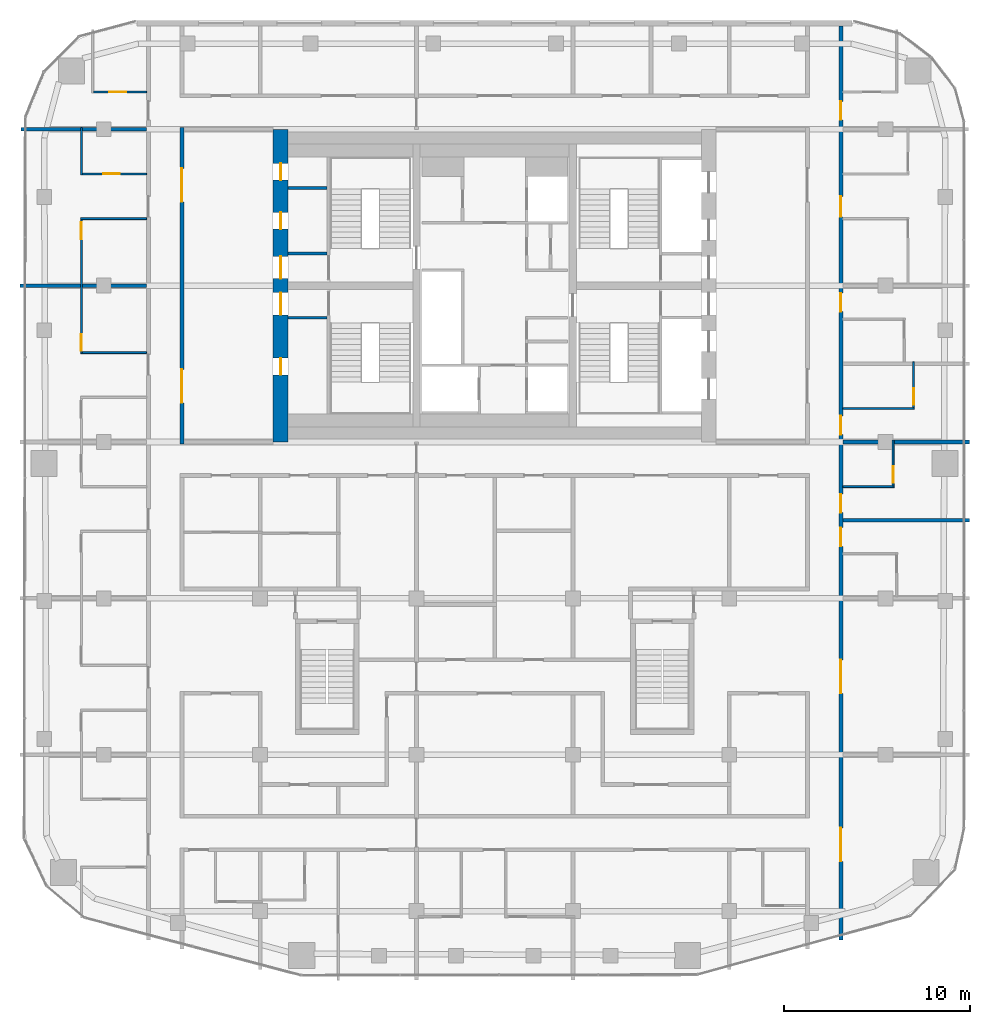
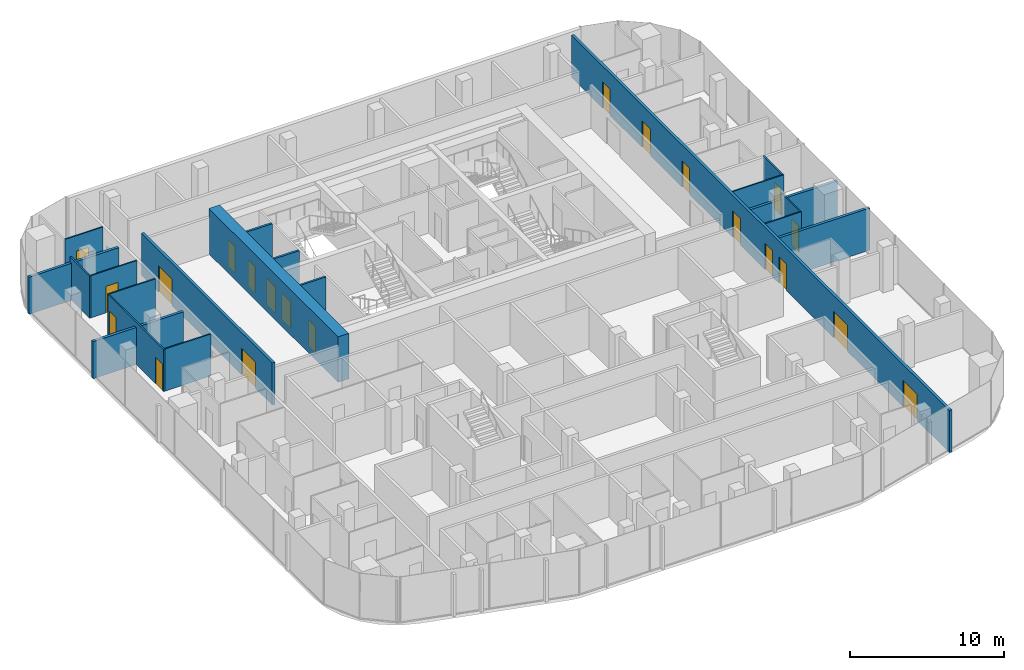
# One storey, part 17 of 21: 21 doors, 20 walls, 21 openings.
"""IFC4 building model written with IfcOpenShell, lengths in metres."""

from ifc_helpers import new_model, si_unit, direction, frame, frame_2d, origin, place, context, subcontext, project, spatial, rectangle, extrude, material, layer, layer_set, type_object, element, fill, save


model = new_model("IFC4")

# Units and contexts
model_context = context("Model", 3, precision=1e-05, world=origin(), true_north=direction((0.0, 1.0)))
body_context = subcontext(model_context, "Body", "Model", "MODEL_VIEW")
ifc_project = project(units=[si_unit("LENGTHUNIT", "METRE"), si_unit("AREAUNIT", "SQUARE_METRE"), si_unit("VOLUMEUNIT", "CUBIC_METRE"), si_unit("PLANEANGLEUNIT", "RADIAN"), si_unit("MASSUNIT", "GRAM", prefix="KILO")], contexts=[model_context])

# Site, building, storey
site_placement = place(None, origin())
site = spatial("IfcSite", under=ifc_project, at=site_placement, CompositionType="ELEMENT")
building_placement = place(site_placement, origin())
building = spatial("IfcBuilding", under=site, at=building_placement, Name="Marenta Gate Hotel Tower", CompositionType="ELEMENT")
storey_placement = place(building_placement, frame((0.0, 0.0, 245.300048828125)))
storey = spatial("IfcBuildingStorey", under=building, at=storey_placement, Name="L58", CompositionType="ELEMENT", Elevation=245.300048828125)

# Wall, openings, doors
ifc_material_1 = material(Name="Concrete blockwork", Category="masonry")
ifc_layer_1 = layer(ifc_material_1, 0.199951171875)
ifc_layer_set_1 = layer_set([ifc_layer_1], Name="Concrete blockwork")
wall_type_1 = type_object("IfcWallType", Name="Core boundary wall 200 REI 180", PredefinedType="PARTITIONING", material=ifc_layer_set_1)
wall_1_placement = place(storey_placement, frame((-16.800048828125, -0.10009765625, 0.0), z_axis=(0.0, 0.0, 1.0), x_axis=(0.0, 1.0, 0.0)))
wall_1 = element("IfcWall", 1, at=wall_1_placement, inside=storey, type_object=wall_type_1, Name="L58-CP-BW-W", PredefinedType="PARTITIONING", context=body_context, shape_type="SweptSolid", body=[
    extrude(rectangle(XDim=17.0, YDim=0.199951171875, at=frame_2d((8.5, 0.0))), origin(), (0.0, 0.0, 1.0), 3.33984375),
])
opening_1_placement = place(wall_1_placement, frame((2.199951171875, 0.0, 0.0)))
opening_1 = element("IfcOpeningElement", 2, at=opening_1_placement, cuts=wall_1, Name="Opening ED-Wa-B", PredefinedType="OPENING", context=body_context, shape_type="SweptSolid", body=[
    extrude(rectangle(XDim=1.800048828125, YDim=2.10009765625, at=frame_2d((0.89990234375, 1.050048828125))), frame((0.0, 0.10009765625, 0.0), z_axis=(0.0, -1.0, 0.0), x_axis=(1.0, 0.0, 0.0)), (0.0, 0.0, 1.0), 0.199951171875),
])
opening_2_placement = place(wall_1_placement, frame((13.0, 0.0, 0.0)))
opening_2 = element("IfcOpeningElement", 3, at=opening_2_placement, cuts=wall_1, Name="Opening ED-Wb-B", PredefinedType="OPENING", context=body_context, shape_type="SweptSolid", body=[
    extrude(rectangle(XDim=1.800048828125, YDim=2.10009765625, at=frame_2d((0.89990234375, 1.050048828125))), frame((0.0, 0.10009765625, 0.0), z_axis=(0.0, -1.0, 0.0), x_axis=(1.0, 0.0, 0.0)), (0.0, 0.0, 1.0), 0.199951171875),
])
ifc_material_2 = material(Name="Steel", Category="steel")
door_type_1 = type_object("IfcDoorType", Name="Core lobby entrance door 1800x2100 EI 60", OperationType="DOUBLE_DOOR_SINGLE_SWING", PredefinedType="DOOR", material=ifc_material_2)
door_1_placement = place(opening_1_placement, origin())
door_1 = element("IfcDoor", 4, at=door_1_placement, inside=storey, type_object=door_type_1, Name="ED-Wa-B", OperationType="DOUBLE_DOOR_SINGLE_SWING", OverallHeight=2.10009765625, OverallWidth=1.800048828125, PredefinedType="DOOR", context=body_context, shape_type="SweptSolid", body=[
    extrude(rectangle(XDim=1.800048828125, YDim=2.10009765625, at=frame_2d((0.89990234375, 1.050048828125))), frame((0.0, 0.02490234375, 0.0), z_axis=(0.0, -1.0, 0.0), x_axis=(1.0, 0.0, 0.0)), (0.0, 0.0, 1.0), 0.050048828125),
])
fill(opening_1, door_1)
door_2_placement = place(opening_2_placement, origin())
door_2 = element("IfcDoor", 5, at=door_2_placement, inside=storey, type_object=door_type_1, Name="ED-Wb-B", OperationType="DOUBLE_DOOR_SINGLE_SWING", OverallHeight=2.10009765625, OverallWidth=1.800048828125, PredefinedType="DOOR", context=body_context, shape_type="SweptSolid", body=[
    extrude(rectangle(XDim=1.800048828125, YDim=2.10009765625, at=frame_2d((0.89990234375, 1.050048828125))), frame((0.0, 0.02490234375, 0.0), z_axis=(0.0, -1.0, 0.0), x_axis=(1.0, 0.0, 0.0)), (0.0, 0.0, 1.0), 0.050048828125),
])
fill(opening_2, door_2)

# Walls
ifc_material_3 = material(Name="Concrete blockwork", Category="masonry")
ifc_layer_2 = layer(ifc_material_3, 0.14990234375)
ifc_layer_set_2 = layer_set([ifc_layer_2], Name="Concrete blockwork")
wall_type_2 = type_object("IfcWallType", Name="Core room partition 150 REI 180", PredefinedType="PARTITIONING", material=ifc_layer_set_2)
for number, where, z_axis, x_axis, name in (
    (6, (-11.10009765625, 6.675048828125, 0.0), (0.0, 0.0, 1.0), (1.0, 0.0, 0.0), "L58-CP-SW-WS-2"),
    (7, (-11.10009765625, 10.125, 0.0), (0.0, 0.0, 1.0), (1.0, 0.0, 0.0), "L58-CP-SW-WN-2"),
    (8, (-11.10009765625, 13.64990234375, 0.0), (0.0, 0.0, 1.0), (1.0, 0.0, 0.0), "L58-CP-RW-WN-1"),
):
    element("IfcWall", number, at=place(storey_placement, frame(where, z_axis=z_axis, x_axis=x_axis)), inside=storey, type_object=wall_type_2, Name=name, PredefinedType="PARTITIONING", context=body_context, shape_type="SweptSolid", body=[
        extrude(rectangle(XDim=2.10009765625, YDim=0.14990234375, at=frame_2d((1.050048828125, 0.0))), origin(), (0.0, 0.0, 1.0), 3.33984375),
    ])

# Wall, openings, doors
ifc_material_4 = material(Name="Concrete C60", Category="concrete")
ifc_layer_3 = layer(ifc_material_4, 0.800048828125)
ifc_layer_set_3 = layer_set([ifc_layer_3], Name="Concrete C60")
wall_type_3 = type_object("IfcWallType", Name="Core wall 800 C60", PredefinedType="SHEAR", material=ifc_layer_set_3)
wall_2_placement = place(storey_placement, frame((-11.5, 0.0, 0.0), z_axis=(0.0, 0.0, 1.0), x_axis=(0.0, 1.0, 0.0)))
wall_2 = element("IfcWall", 9, at=wall_2_placement, inside=storey, type_object=wall_type_3, Name="L58-CORE-W", PredefinedType="SHEAR", context=body_context, shape_type="SweptSolid", body=[
    extrude(rectangle(XDim=16.800048828125, YDim=0.800048828125, at=frame_2d((8.39990234375, 0.0))), origin(), (0.0, 0.0, 1.0), 3.599853515625),
])
opening_3_placement = place(wall_2_placement, frame((3.60009765625, 0.0, 0.0)))
opening_3 = element("IfcOpeningElement", 10, at=opening_3_placement, cuts=wall_2, Name="Opening RD-WS-1", PredefinedType="OPENING", context=body_context, shape_type="SweptSolid", body=[
    extrude(rectangle(XDim=0.89990234375, YDim=2.10009765625, at=frame_2d((0.449951171875, 1.050048828125))), frame((0.0, 0.39990234375, 0.0), z_axis=(0.0, -1.0, 0.0), x_axis=(1.0, 0.0, 0.0)), (0.0, 0.0, 1.0), 0.800048828125),
])
opening_4_placement = place(wall_2_placement, frame((6.824951171875, 0.0, 0.0)))
opening_4 = element("IfcOpeningElement", 11, at=opening_4_placement, cuts=wall_2, Name="Opening PD-WS", PredefinedType="OPENING", context=body_context, shape_type="SweptSolid", body=[
    extrude(rectangle(XDim=1.199951171875, YDim=2.10009765625, at=frame_2d((0.60009765625, 1.050048828125))), frame((0.0, 0.39990234375, 0.0), z_axis=(0.0, -1.0, 0.0), x_axis=(1.0, 0.0, 0.0)), (0.0, 0.0, 1.0), 0.800048828125),
])
opening_5_placement = place(wall_2_placement, frame((14.0625, 0.0, 0.0)))
opening_5 = element("IfcOpeningElement", 12, at=opening_5_placement, cuts=wall_2, Name="Opening RD-WN-1", PredefinedType="OPENING", context=body_context, shape_type="SweptSolid", body=[
    extrude(rectangle(XDim=0.89990234375, YDim=2.10009765625, at=frame_2d((0.449951171875, 1.050048828125))), frame((0.0, 0.39990234375, 0.0), z_axis=(0.0, -1.0, 0.0), x_axis=(1.0, 0.0, 0.0)), (0.0, 0.0, 1.0), 0.800048828125),
])
opening_6_placement = place(wall_2_placement, frame((11.4375, 0.0, 0.0)))
opening_6 = element("IfcOpeningElement", 13, at=opening_6_placement, cuts=wall_2, Name="Opening RD-WN-2", PredefinedType="OPENING", context=body_context, shape_type="SweptSolid", body=[
    extrude(rectangle(XDim=0.89990234375, YDim=2.10009765625, at=frame_2d((0.449951171875, 1.050048828125))), frame((0.0, 0.39990234375, 0.0), z_axis=(0.0, -1.0, 0.0), x_axis=(1.0, 0.0, 0.0)), (0.0, 0.0, 1.0), 0.800048828125),
])
opening_7_placement = place(wall_2_placement, frame((8.77490234375, 0.0, 0.0)))
opening_7 = element("IfcOpeningElement", 14, at=opening_7_placement, cuts=wall_2, Name="Opening PD-WN", PredefinedType="OPENING", context=body_context, shape_type="SweptSolid", body=[
    extrude(rectangle(XDim=1.199951171875, YDim=2.10009765625, at=frame_2d((0.60009765625, 1.050048828125))), frame((0.0, 0.39990234375, 0.0), z_axis=(0.0, -1.0, 0.0), x_axis=(1.0, 0.0, 0.0)), (0.0, 0.0, 1.0), 0.800048828125),
])
ifc_material_5 = material(Name="Steel", Category="steel")
door_type_2 = type_object("IfcDoorType", Name="Core lobby door 1200x2100 FD60", OperationType="SINGLE_SWING_LEFT", PredefinedType="DOOR", material=ifc_material_5)
door_3_placement = place(opening_4_placement, origin())
door_3 = element("IfcDoor", 15, at=door_3_placement, inside=storey, type_object=door_type_2, Name="PD-WS", OperationType="SINGLE_SWING_LEFT", OverallHeight=2.10009765625, OverallWidth=1.199951171875, PredefinedType="DOOR", context=body_context, shape_type="SweptSolid", body=[
    extrude(rectangle(XDim=1.199951171875, YDim=2.10009765625, at=frame_2d((0.60009765625, 1.050048828125))), frame((0.0, 0.02490234375, 0.0), z_axis=(0.0, -1.0, 0.0), x_axis=(1.0, 0.0, 0.0)), (0.0, 0.0, 1.0), 0.050048828125),
])
fill(opening_4, door_3)
door_4_placement = place(opening_7_placement, origin())
door_4 = element("IfcDoor", 16, at=door_4_placement, inside=storey, type_object=door_type_2, Name="PD-WN", OperationType="SINGLE_SWING_LEFT", OverallHeight=2.10009765625, OverallWidth=1.199951171875, PredefinedType="DOOR", context=body_context, shape_type="SweptSolid", body=[
    extrude(rectangle(XDim=1.199951171875, YDim=2.10009765625, at=frame_2d((0.60009765625, 1.050048828125))), frame((0.0, 0.02490234375, 0.0), z_axis=(0.0, -1.0, 0.0), x_axis=(1.0, 0.0, 0.0)), (0.0, 0.0, 1.0), 0.050048828125),
])
fill(opening_7, door_4)
ifc_material_6 = material(Name="Steel", Category="steel")
door_type_3 = type_object("IfcDoorType", Name="Core service room door 900x2100 FD30S", OperationType="SINGLE_SWING_LEFT", PredefinedType="DOOR", material=ifc_material_6)
door_5_placement = place(opening_3_placement, origin())
door_5 = element("IfcDoor", 17, at=door_5_placement, inside=storey, type_object=door_type_3, Name="RD-WS-1", OperationType="SINGLE_SWING_LEFT", OverallHeight=2.10009765625, OverallWidth=0.89990234375, PredefinedType="DOOR", context=body_context, shape_type="SweptSolid", body=[
    extrude(rectangle(XDim=0.89990234375, YDim=2.10009765625, at=frame_2d((0.449951171875, 1.050048828125))), frame((0.0, 0.02490234375, 0.0), z_axis=(0.0, -1.0, 0.0), x_axis=(1.0, 0.0, 0.0)), (0.0, 0.0, 1.0), 0.050048828125),
])
fill(opening_3, door_5)
door_6_placement = place(opening_5_placement, origin())
door_6 = element("IfcDoor", 18, at=door_6_placement, inside=storey, type_object=door_type_3, Name="RD-WN-1", OperationType="SINGLE_SWING_LEFT", OverallHeight=2.10009765625, OverallWidth=0.89990234375, PredefinedType="DOOR", context=body_context, shape_type="SweptSolid", body=[
    extrude(rectangle(XDim=0.89990234375, YDim=2.10009765625, at=frame_2d((0.449951171875, 1.050048828125))), frame((0.0, 0.02490234375, 0.0), z_axis=(0.0, -1.0, 0.0), x_axis=(1.0, 0.0, 0.0)), (0.0, 0.0, 1.0), 0.050048828125),
])
fill(opening_5, door_6)
door_7_placement = place(opening_6_placement, origin())
door_7 = element("IfcDoor", 19, at=door_7_placement, inside=storey, type_object=door_type_3, Name="RD-WN-2", OperationType="SINGLE_SWING_LEFT", OverallHeight=2.10009765625, OverallWidth=0.89990234375, PredefinedType="DOOR", context=body_context, shape_type="SweptSolid", body=[
    extrude(rectangle(XDim=0.89990234375, YDim=2.10009765625, at=frame_2d((0.449951171875, 1.050048828125))), frame((0.0, 0.02490234375, 0.0), z_axis=(0.0, -1.0, 0.0), x_axis=(1.0, 0.0, 0.0)), (0.0, 0.0, 1.0), 0.050048828125),
])
fill(opening_6, door_7)

ifc_material_7 = material(Name="Gypsum board on steel stud", Category="steel")
ifc_layer_4 = layer(ifc_material_7, 0.199951171875)
ifc_layer_set_4 = layer_set([ifc_layer_4], Name="Gypsum board on steel stud")
wall_type_4 = type_object("IfcWallType", Name="Room corridor wall 200 EI 60", PredefinedType="PARTITIONING", material=ifc_layer_set_4)
wall_3_placement = place(storey_placement, frame((18.60009765625, -26.7509765625, 0.0), z_axis=(0.0, 0.0, 1.0), x_axis=(0.0, 1.0, 0.0)))
wall_3 = element("IfcWall", 20, at=wall_3_placement, inside=storey, type_object=wall_type_4, Name="L58-PTN-W017", PredefinedType="PARTITIONING", context=body_context, shape_type="SweptSolid", body=[
    extrude(rectangle(XDim=49.091064453125, YDim=0.199951171875, at=frame_2d((24.54541015625, 0.0))), origin(), (0.0, 0.0, 1.0), 3.33984375),
])
opening_8_placement = place(wall_3_placement, frame((4.22607421875, 0.0, 0.0)))
opening_8 = element("IfcOpeningElement", 21, at=opening_8_placement, cuts=wall_3, Name="Opening G21-14", PredefinedType="OPENING", context=body_context, shape_type="SweptSolid", body=[
    extrude(rectangle(XDim=1.800048828125, YDim=2.10009765625, at=frame_2d((0.89990234375, 1.050048828125))), frame((0.0, 0.10009765625, 0.0), z_axis=(0.0, -1.0, 0.0), x_axis=(1.0, 0.0, 0.0)), (0.0, 0.0, 1.0), 0.199951171875),
])
opening_9_placement = place(wall_3_placement, frame((13.2509765625, 0.0, 0.0)))
opening_9 = element("IfcOpeningElement", 22, at=opening_9_placement, cuts=wall_3, Name="Opening G21-15", PredefinedType="OPENING", context=body_context, shape_type="SweptSolid", body=[
    extrude(rectangle(XDim=1.800048828125, YDim=2.10009765625, at=frame_2d((0.89990234375, 1.050048828125))), frame((0.0, 0.10009765625, 0.0), z_axis=(0.0, -1.0, 0.0), x_axis=(1.0, 0.0, 0.0)), (0.0, 0.0, 1.0), 0.199951171875),
])
opening_10_placement = place(wall_3_placement, frame((21.15087890625, 0.0, 0.0)))
opening_10 = element("IfcOpeningElement", 23, at=opening_10_placement, cuts=wall_3, Name="Opening G21-16", PredefinedType="OPENING", context=body_context, shape_type="SweptSolid", body=[
    extrude(rectangle(XDim=1.0, YDim=2.10009765625, at=frame_2d((0.5, 1.050048828125))), frame((0.0, 0.10009765625, 0.0), z_axis=(0.0, -1.0, 0.0), x_axis=(1.0, 0.0, 0.0)), (0.0, 0.0, 1.0), 0.199951171875),
])
opening_11_placement = place(wall_3_placement, frame((22.950927734375, 0.0, 0.0)))
opening_11 = element("IfcOpeningElement", 24, at=opening_11_placement, cuts=wall_3, Name="Opening G21-18", PredefinedType="OPENING", context=body_context, shape_type="SweptSolid", body=[
    extrude(rectangle(XDim=1.0, YDim=2.10009765625, at=frame_2d((0.5, 1.050048828125))), frame((0.0, 0.10009765625, 0.0), z_axis=(0.0, -1.0, 0.0), x_axis=(1.0, 0.0, 0.0)), (0.0, 0.0, 1.0), 0.199951171875),
])
opening_12_placement = place(wall_3_placement, frame((27.15087890625, 0.0, 0.0)))
opening_12 = element("IfcOpeningElement", 25, at=opening_12_placement, cuts=wall_3, Name="Opening G21-20", PredefinedType="OPENING", context=body_context, shape_type="SweptSolid", body=[
    extrude(rectangle(XDim=1.0, YDim=2.10009765625, at=frame_2d((0.5, 1.050048828125))), frame((0.0, 0.10009765625, 0.0), z_axis=(0.0, -1.0, 0.0), x_axis=(1.0, 0.0, 0.0)), (0.0, 0.0, 1.0), 0.199951171875),
])
opening_13_placement = place(wall_3_placement, frame((33.7509765625, 0.0, 0.0)))
opening_13 = element("IfcOpeningElement", 26, at=opening_13_placement, cuts=wall_3, Name="Opening G21-22", PredefinedType="OPENING", context=body_context, shape_type="SweptSolid", body=[
    extrude(rectangle(XDim=1.0, YDim=2.10009765625, at=frame_2d((0.5, 1.050048828125))), frame((0.0, 0.10009765625, 0.0), z_axis=(0.0, -1.0, 0.0), x_axis=(1.0, 0.0, 0.0)), (0.0, 0.0, 1.0), 0.199951171875),
])
opening_14_placement = place(wall_3_placement, frame((38.85107421875, 0.0, 0.0)))
opening_14 = element("IfcOpeningElement", 27, at=opening_14_placement, cuts=wall_3, Name="Opening G21-24", PredefinedType="OPENING", context=body_context, shape_type="SweptSolid", body=[
    extrude(rectangle(XDim=1.10009765625, YDim=2.10009765625, at=frame_2d((0.550048828125, 1.050048828125))), frame((0.0, 0.10009765625, 0.0), z_axis=(0.0, -1.0, 0.0), x_axis=(1.0, 0.0, 0.0)), (0.0, 0.0, 1.0), 0.199951171875),
])
opening_15_placement = place(wall_3_placement, frame((44.051025390625, 0.0, 0.0)))
opening_15 = element("IfcOpeningElement", 28, at=opening_15_placement, cuts=wall_3, Name="Opening G21-27", PredefinedType="OPENING", context=body_context, shape_type="SweptSolid", body=[
    extrude(rectangle(XDim=1.0, YDim=2.10009765625, at=frame_2d((0.5, 1.050048828125))), frame((0.0, 0.10009765625, 0.0), z_axis=(0.0, -1.0, 0.0), x_axis=(1.0, 0.0, 0.0)), (0.0, 0.0, 1.0), 0.199951171875),
])
ifc_material_8 = material(Name="Timber door leaf", Category="wood")
door_type_4 = type_object("IfcDoorType", Name="Guest room door 1000x2100 EI 30", OperationType="NOTDEFINED", PredefinedType="DOOR", material=ifc_material_8)
door_8_placement = place(opening_10_placement, origin())
door_8 = element("IfcDoor", 29, at=door_8_placement, inside=storey, type_object=door_type_4, Name="L58-PD-D016", OperationType="SINGLE_SWING_RIGHT", OverallHeight=2.10009765625, OverallWidth=1.0, PredefinedType="DOOR", context=body_context, shape_type="SweptSolid", body=[
    extrude(rectangle(XDim=1.0, YDim=2.10009765625, at=frame_2d((0.5, 1.050048828125))), frame((0.0, 0.02490234375, 0.0), z_axis=(0.0, -1.0, 0.0), x_axis=(1.0, 0.0, 0.0)), (0.0, 0.0, 1.0), 0.050048828125),
])
fill(opening_10, door_8)
door_9_placement = place(opening_11_placement, origin())
door_9 = element("IfcDoor", 30, at=door_9_placement, inside=storey, type_object=door_type_4, Name="L58-PD-D018", OperationType="SINGLE_SWING_RIGHT", OverallHeight=2.10009765625, OverallWidth=1.0, PredefinedType="DOOR", context=body_context, shape_type="SweptSolid", body=[
    extrude(rectangle(XDim=1.0, YDim=2.10009765625, at=frame_2d((0.5, 1.050048828125))), frame((0.0, 0.02490234375, 0.0), z_axis=(0.0, -1.0, 0.0), x_axis=(1.0, 0.0, 0.0)), (0.0, 0.0, 1.0), 0.050048828125),
])
fill(opening_11, door_9)
door_10_placement = place(opening_12_placement, origin())
door_10 = element("IfcDoor", 31, at=door_10_placement, inside=storey, type_object=door_type_4, Name="L58-PD-D020", OperationType="SINGLE_SWING_RIGHT", OverallHeight=2.10009765625, OverallWidth=1.0, PredefinedType="DOOR", context=body_context, shape_type="SweptSolid", body=[
    extrude(rectangle(XDim=1.0, YDim=2.10009765625, at=frame_2d((0.5, 1.050048828125))), frame((0.0, 0.02490234375, 0.0), z_axis=(0.0, -1.0, 0.0), x_axis=(1.0, 0.0, 0.0)), (0.0, 0.0, 1.0), 0.050048828125),
])
fill(opening_12, door_10)
door_11_placement = place(opening_13_placement, origin())
door_11 = element("IfcDoor", 32, at=door_11_placement, inside=storey, type_object=door_type_4, Name="L58-PD-D022", OperationType="SINGLE_SWING_RIGHT", OverallHeight=2.10009765625, OverallWidth=1.0, PredefinedType="DOOR", context=body_context, shape_type="SweptSolid", body=[
    extrude(rectangle(XDim=1.0, YDim=2.10009765625, at=frame_2d((0.5, 1.050048828125))), frame((0.0, 0.02490234375, 0.0), z_axis=(0.0, -1.0, 0.0), x_axis=(1.0, 0.0, 0.0)), (0.0, 0.0, 1.0), 0.050048828125),
])
fill(opening_13, door_11)
door_12_placement = place(opening_15_placement, origin())
door_12 = element("IfcDoor", 33, at=door_12_placement, inside=storey, type_object=door_type_4, Name="L58-PD-D027", OperationType="SINGLE_SWING_LEFT", OverallHeight=2.10009765625, OverallWidth=1.0, PredefinedType="DOOR", context=body_context, shape_type="SweptSolid", body=[
    extrude(rectangle(XDim=1.0, YDim=2.10009765625, at=frame_2d((0.5, 1.050048828125))), frame((0.0, 0.02490234375, 0.0), z_axis=(0.0, -1.0, 0.0), x_axis=(1.0, 0.0, 0.0)), (0.0, 0.0, 1.0), 0.050048828125),
])
fill(opening_15, door_12)
ifc_material_9 = material(Name="Timber door leaf", Category="wood")
door_type_5 = type_object("IfcDoorType", Name="Guest room door 1100x2100 EI 30", OperationType="NOTDEFINED", PredefinedType="DOOR", material=ifc_material_9)
door_13_placement = place(opening_14_placement, origin())
door_13 = element("IfcDoor", 34, at=door_13_placement, inside=storey, type_object=door_type_5, Name="L58-PD-D024", OperationType="SINGLE_SWING_RIGHT", OverallHeight=2.10009765625, OverallWidth=1.10009765625, PredefinedType="DOOR", context=body_context, shape_type="SweptSolid", body=[
    extrude(rectangle(XDim=1.10009765625, YDim=2.10009765625, at=frame_2d((0.550048828125, 1.050048828125))), frame((0.0, 0.02490234375, 0.0), z_axis=(0.0, -1.0, 0.0), x_axis=(1.0, 0.0, 0.0)), (0.0, 0.0, 1.0), 0.050048828125),
])
fill(opening_14, door_13)
ifc_material_10 = material(Name="Timber door leaf", Category="wood")
door_type_6 = type_object("IfcDoorType", Name="Room amenity door 1800x2100 EI 30", OperationType="DOUBLE_DOOR_SINGLE_SWING", PredefinedType="DOOR", material=ifc_material_10)
door_14_placement = place(opening_8_placement, origin())
door_14 = element("IfcDoor", 35, at=door_14_placement, inside=storey, type_object=door_type_6, Name="L58-PD-D014", OperationType="DOUBLE_DOOR_SINGLE_SWING", OverallHeight=2.10009765625, OverallWidth=1.800048828125, PredefinedType="DOOR", context=body_context, shape_type="SweptSolid", body=[
    extrude(rectangle(XDim=1.800048828125, YDim=2.10009765625, at=frame_2d((0.89990234375, 1.050048828125))), frame((0.0, 0.02490234375, 0.0), z_axis=(0.0, -1.0, 0.0), x_axis=(1.0, 0.0, 0.0)), (0.0, 0.0, 1.0), 0.050048828125),
])
fill(opening_8, door_14)
door_15_placement = place(opening_9_placement, origin())
door_15 = element("IfcDoor", 36, at=door_15_placement, inside=storey, type_object=door_type_6, Name="L58-PD-D015", OperationType="DOUBLE_DOOR_SINGLE_SWING", OverallHeight=2.10009765625, OverallWidth=1.800048828125, PredefinedType="DOOR", context=body_context, shape_type="SweptSolid", body=[
    extrude(rectangle(XDim=1.800048828125, YDim=2.10009765625, at=frame_2d((0.89990234375, 1.050048828125))), frame((0.0, 0.02490234375, 0.0), z_axis=(0.0, -1.0, 0.0), x_axis=(1.0, 0.0, 0.0)), (0.0, 0.0, 1.0), 0.050048828125),
])
fill(opening_9, door_15)

# Wall, opening, door
ifc_material_11 = material(Name="Gypsum board on steel stud", Category="steel")
ifc_layer_5 = layer(ifc_material_11, 0.10009765625)
ifc_layer_set_5 = layer_set([ifc_layer_5], Name="Gypsum board on steel stud")
wall_type_5 = type_object("IfcWallType", Name="Room partition 100", PredefinedType="PARTITIONING", material=ifc_layer_set_5)
wall_4_placement = place(storey_placement, frame((22.5, 1.85009765625, 0.0), z_axis=(0.0, 0.0, 1.0), x_axis=(0.0, 1.0, 0.0)))
wall_4 = element("IfcWall", 37, at=wall_4_placement, inside=storey, type_object=wall_type_5, Name="L58-PTN-W007", PredefinedType="PARTITIONING", context=body_context, shape_type="SweptSolid", body=[
    extrude(rectangle(XDim=2.449951171875, YDim=0.10009765625, at=frame_2d((1.22509765625, 0.0))), origin(), (0.0, 0.0, 1.0), 3.33984375),
])
opening_16_placement = place(wall_4_placement, frame((0.14990234375, 0.0, 0.0)))
opening_16 = element("IfcOpeningElement", 38, at=opening_16_placement, cuts=wall_4, Name="Opening G21-21", PredefinedType="OPENING", context=body_context, shape_type="SweptSolid", body=[
    extrude(rectangle(XDim=0.89990234375, YDim=2.10009765625, at=frame_2d((0.449951171875, 1.050048828125))), frame((0.0, 0.050048828125, 0.0), z_axis=(0.0, -1.0, 0.0), x_axis=(1.0, 0.0, 0.0)), (0.0, 0.0, 1.0), 0.10009765625),
])
ifc_material_12 = material(Name="Timber door leaf", Category="wood")
door_type_7 = type_object("IfcDoorType", Name="Guest bathroom door 900x2100", OperationType="NOTDEFINED", PredefinedType="DOOR", material=ifc_material_12)
door_16_placement = place(opening_16_placement, origin())
door_16 = element("IfcDoor", 39, at=door_16_placement, inside=storey, type_object=door_type_7, Name="L58-PD-D021", OperationType="SINGLE_SWING_LEFT", OverallHeight=2.10009765625, OverallWidth=0.89990234375, PredefinedType="DOOR", context=body_context, shape_type="SweptSolid", body=[
    extrude(rectangle(XDim=0.89990234375, YDim=2.10009765625, at=frame_2d((0.449951171875, 1.050048828125))), frame((0.0, 0.02490234375, 0.0), z_axis=(0.0, -1.0, 0.0), x_axis=(1.0, 0.0, 0.0)), (0.0, 0.0, 1.0), 0.050048828125),
])
fill(opening_16, door_16)

wall_5_placement = place(storey_placement, frame((21.39990234375, -2.35009765625, 0.0), z_axis=(0.0, 0.0, 1.0), x_axis=(0.0, 1.0, 0.0)))
wall_5 = element("IfcWall", 40, at=wall_5_placement, inside=storey, type_object=wall_type_5, Name="L58-PTN-W014", PredefinedType="PARTITIONING", context=body_context, shape_type="SweptSolid", body=[
    extrude(rectangle(XDim=2.4501953125, YDim=0.10009765625, at=frame_2d((1.22509765625, 0.0))), origin(), (0.0, 0.0, 1.0), 3.33984375),
])
opening_17_placement = place(wall_5_placement, frame((0.14990234375, 0.0, 0.0)))
opening_17 = element("IfcOpeningElement", 41, at=opening_17_placement, cuts=wall_5, Name="Opening G21-19", PredefinedType="OPENING", context=body_context, shape_type="SweptSolid", body=[
    extrude(rectangle(XDim=0.89990234375, YDim=2.10009765625, at=frame_2d((0.449951171875, 1.050048828125))), frame((0.0, 0.050048828125, 0.0), z_axis=(0.0, -1.0, 0.0), x_axis=(1.0, 0.0, 0.0)), (0.0, 0.0, 1.0), 0.10009765625),
])
door_17_placement = place(opening_17_placement, origin())
door_17 = element("IfcDoor", 42, at=door_17_placement, inside=storey, type_object=door_type_7, Name="L58-PD-D019", OperationType="SINGLE_SWING_LEFT", OverallHeight=2.10009765625, OverallWidth=0.89990234375, PredefinedType="DOOR", context=body_context, shape_type="SweptSolid", body=[
    extrude(rectangle(XDim=0.89990234375, YDim=2.10009765625, at=frame_2d((0.449951171875, 1.050048828125))), frame((0.0, 0.02490234375, 0.0), z_axis=(0.0, -1.0, 0.0), x_axis=(1.0, 0.0, 0.0)), (0.0, 0.0, 1.0), 0.050048828125),
])
fill(opening_17, door_17)

# Walls
wall_6_placement = place(storey_placement, frame((18.699951171875, -2.39990234375, 0.0), z_axis=(0.0, 0.0, 1.0), x_axis=(1.0, 0.0, 0.0)))
element("IfcWall", 43, at=wall_6_placement, inside=storey, type_object=wall_type_5, Name="L58-PTN-W060", PredefinedType="PARTITIONING", context=body_context, shape_type="SweptSolid", body=[
    extrude(rectangle(XDim=2.75, YDim=0.10009765625, at=frame_2d((1.375, 0.0))), origin(), (0.0, 0.0, 1.0), 3.33984375),
])
wall_7_placement = place(storey_placement, frame((18.699951171875, 1.800048828125, 0.0), z_axis=(0.0, 0.0, 1.0), x_axis=(1.0, 0.0, 0.0)))
element("IfcWall", 44, at=wall_7_placement, inside=storey, type_object=wall_type_5, Name="L58-PTN-W067", PredefinedType="PARTITIONING", context=body_context, shape_type="SweptSolid", body=[
    extrude(rectangle(XDim=3.85009765625, YDim=0.10009765625, at=frame_2d((1.925048828125, 0.0))), origin(), (0.0, 0.0, 1.0), 3.33984375),
])
wall_8_placement = place(storey_placement, frame((-22.14990234375, 4.800048828125, 0.0), z_axis=(0.0, 0.0, 1.0), x_axis=(1.0, 0.0, 0.0)))
element("IfcWall", 45, at=wall_8_placement, inside=storey, type_object=wall_type_5, Name="L58-PTN-W074", PredefinedType="PARTITIONING", context=body_context, shape_type="SweptSolid", body=[
    extrude(rectangle(XDim=3.449951171875, YDim=0.10009765625, at=frame_2d((1.72509765625, 0.0))), origin(), (0.0, 0.0, 1.0), 3.33984375),
])
wall_9_placement = place(storey_placement, frame((-22.25, 12.0, 0.0), z_axis=(0.0, 0.0, 1.0), x_axis=(1.0, 0.0, 0.0)))
element("IfcWall", 46, at=wall_9_placement, inside=storey, type_object=wall_type_5, Name="L58-PTN-W085", PredefinedType="PARTITIONING", context=body_context, shape_type="SweptSolid", body=[
    extrude(rectangle(XDim=3.550048828125, YDim=0.10009765625, at=frame_2d((1.77490234375, 0.0))), origin(), (0.0, 0.0, 1.0), 3.33984375),
])

# Wall, opening, door
wall_10_placement = place(storey_placement, frame((-22.14990234375, 14.39990234375, 0.0), z_axis=(0.0, 0.0, 1.0), x_axis=(1.0, 0.0, 0.0)))
wall_10 = element("IfcWall", 47, at=wall_10_placement, inside=storey, type_object=wall_type_5, Name="L58-PTN-W092", PredefinedType="PARTITIONING", context=body_context, shape_type="SweptSolid", body=[
    extrude(rectangle(XDim=3.449951171875, YDim=0.10009765625, at=frame_2d((1.72509765625, 0.0))), origin(), (0.0, 0.0, 1.0), 3.33984375),
])
opening_18_placement = place(wall_10_placement, frame((1.1201171875, 0.0, 0.0)))
opening_18 = element("IfcOpeningElement", 48, at=opening_18_placement, cuts=wall_10, Name="Opening G21-58", PredefinedType="OPENING", context=body_context, shape_type="SweptSolid", body=[
    extrude(rectangle(XDim=0.89990234375, YDim=2.10009765625, at=frame_2d((0.449951171875, 1.050048828125))), frame((0.0, 0.050048828125, 0.0), z_axis=(0.0, -1.0, 0.0), x_axis=(1.0, 0.0, 0.0)), (0.0, 0.0, 1.0), 0.10009765625),
])
ifc_material_13 = material(Name="Timber door leaf", Category="wood")
door_type_8 = type_object("IfcDoorType", Name="Room inner door 900x2100", OperationType="NOTDEFINED", PredefinedType="DOOR", material=ifc_material_13)
door_18_placement = place(opening_18_placement, origin())
door_18 = element("IfcDoor", 49, at=door_18_placement, inside=storey, type_object=door_type_8, Name="L58-PD-D058", OperationType="SINGLE_SWING_LEFT", OverallHeight=2.10009765625, OverallWidth=0.89990234375, PredefinedType="DOOR", context=body_context, shape_type="SweptSolid", body=[
    extrude(rectangle(XDim=0.89990234375, YDim=2.10009765625, at=frame_2d((0.449951171875, 1.050048828125))), frame((0.0, 0.02490234375, 0.0), z_axis=(0.0, -1.0, 0.0), x_axis=(1.0, 0.0, 0.0)), (0.0, 0.0, 1.0), 0.050048828125),
])
fill(opening_18, door_18)

wall_11_placement = place(storey_placement, frame((-21.550048828125, 18.800048828125, 0.0), z_axis=(0.0, 0.0, 1.0), x_axis=(1.0, 0.0, 0.0)))
wall_11 = element("IfcWall", 50, at=wall_11_placement, inside=storey, type_object=wall_type_5, Name="L58-PTN-W103", PredefinedType="PARTITIONING", context=body_context, shape_type="SweptSolid", body=[
    extrude(rectangle(XDim=2.85009765625, YDim=0.10009765625, at=frame_2d((1.425048828125, 0.0))), origin(), (0.0, 0.0, 1.0), 3.33984375),
])
opening_19_placement = place(wall_11_placement, frame((0.85009765625, 0.0, 0.0)))
opening_19 = element("IfcOpeningElement", 51, at=opening_19_placement, cuts=wall_11, Name="Opening G21-60", PredefinedType="OPENING", context=body_context, shape_type="SweptSolid", body=[
    extrude(rectangle(XDim=0.89990234375, YDim=2.10009765625, at=frame_2d((0.449951171875, 1.050048828125))), frame((0.0, 0.050048828125, 0.0), z_axis=(0.0, -1.0, 0.0), x_axis=(1.0, 0.0, 0.0)), (0.0, 0.0, 1.0), 0.10009765625),
])
door_19_placement = place(opening_19_placement, origin())
door_19 = element("IfcDoor", 52, at=door_19_placement, inside=storey, type_object=door_type_7, Name="L58-PD-D060", OperationType="SINGLE_SWING_LEFT", OverallHeight=2.10009765625, OverallWidth=0.89990234375, PredefinedType="DOOR", context=body_context, shape_type="SweptSolid", body=[
    extrude(rectangle(XDim=0.89990234375, YDim=2.10009765625, at=frame_2d((0.449951171875, 1.050048828125))), frame((0.0, 0.02490234375, 0.0), z_axis=(0.0, -1.0, 0.0), x_axis=(1.0, 0.0, 0.0)), (0.0, 0.0, 1.0), 0.050048828125),
])
fill(opening_19, door_19)

# Wall, openings, doors
wall_12_placement = place(storey_placement, frame((-22.199951171875, 4.75, 0.0), z_axis=(0.0, 0.0, 1.0), x_axis=(0.0, 1.0, 0.0)))
wall_12 = element("IfcWall", 53, at=wall_12_placement, inside=storey, type_object=wall_type_5, Name="L58-PTN-W110", PredefinedType="PARTITIONING", context=body_context, shape_type="SweptSolid", body=[
    extrude(rectangle(XDim=7.199951171875, YDim=0.10009765625, at=frame_2d((3.60009765625, 0.0))), origin(), (0.0, 0.0, 1.0), 3.33984375),
])
opening_20_placement = place(wall_12_placement, frame((0.14990234375, 0.0, 0.0)))
opening_20 = element("IfcOpeningElement", 54, at=opening_20_placement, cuts=wall_12, Name="Opening G21-54", PredefinedType="OPENING", context=body_context, shape_type="SweptSolid", body=[
    extrude(rectangle(XDim=0.89990234375, YDim=2.10009765625, at=frame_2d((0.449951171875, 1.050048828125))), frame((0.0, 0.050048828125, 0.0), z_axis=(0.0, -1.0, 0.0), x_axis=(1.0, 0.0, 0.0)), (0.0, 0.0, 1.0), 0.10009765625),
])
opening_21_placement = place(wall_12_placement, frame((6.14990234375, 0.0, 0.0)))
opening_21 = element("IfcOpeningElement", 55, at=opening_21_placement, cuts=wall_12, Name="Opening G21-57", PredefinedType="OPENING", context=body_context, shape_type="SweptSolid", body=[
    extrude(rectangle(XDim=0.89990234375, YDim=2.10009765625, at=frame_2d((0.449951171875, 1.050048828125))), frame((0.0, 0.050048828125, 0.0), z_axis=(0.0, -1.0, 0.0), x_axis=(1.0, 0.0, 0.0)), (0.0, 0.0, 1.0), 0.10009765625),
])
door_20_placement = place(opening_20_placement, origin())
door_20 = element("IfcDoor", 56, at=door_20_placement, inside=storey, type_object=door_type_7, Name="L58-PD-D054", OperationType="SINGLE_SWING_RIGHT", OverallHeight=2.10009765625, OverallWidth=0.89990234375, PredefinedType="DOOR", context=body_context, shape_type="SweptSolid", body=[
    extrude(rectangle(XDim=0.89990234375, YDim=2.10009765625, at=frame_2d((0.449951171875, 1.050048828125))), frame((0.0, 0.02490234375, 0.0), z_axis=(0.0, -1.0, 0.0), x_axis=(1.0, 0.0, 0.0)), (0.0, 0.0, 1.0), 0.050048828125),
])
fill(opening_20, door_20)
door_21_placement = place(opening_21_placement, origin())
door_21 = element("IfcDoor", 57, at=door_21_placement, inside=storey, type_object=door_type_7, Name="L58-PD-D057", OperationType="SINGLE_SWING_LEFT", OverallHeight=2.10009765625, OverallWidth=0.89990234375, PredefinedType="DOOR", context=body_context, shape_type="SweptSolid", body=[
    extrude(rectangle(XDim=0.89990234375, YDim=2.10009765625, at=frame_2d((0.449951171875, 1.050048828125))), frame((0.0, 0.02490234375, 0.0), z_axis=(0.0, -1.0, 0.0), x_axis=(1.0, 0.0, 0.0)), (0.0, 0.0, 1.0), 0.050048828125),
])
fill(opening_21, door_21)

# Walls
wall_13_placement = place(storey_placement, frame((-22.199951171875, 14.35009765625, 0.0), z_axis=(0.0, 0.0, 1.0), x_axis=(0.0, 1.0, 0.0)))
element("IfcWall", 58, at=wall_13_placement, inside=storey, type_object=wall_type_5, Name="L58-PTN-W111", PredefinedType="PARTITIONING", context=body_context, shape_type="SweptSolid", body=[
    extrude(rectangle(XDim=2.5498046875, YDim=0.10009765625, at=frame_2d((1.27490234375, 0.0))), origin(), (0.0, 0.0, 1.0), 3.33984375),
])
ifc_material_14 = material(Name="Gypsum board on steel stud", Category="steel")
ifc_layer_6 = layer(ifc_material_14, 0.199951171875)
ifc_layer_set_6 = layer_set([ifc_layer_6], Name="Gypsum board on steel stud")
wall_type_6 = type_object("IfcWallType", Name="Room party wall 200 EI 60", PredefinedType="PARTITIONING", material=ifc_layer_set_6)
wall_14_placement = place(storey_placement, frame((18.699951171875, -4.199951171875, 0.0), z_axis=(0.0, 0.0, 1.0), x_axis=(1.0, 0.0, 0.0)))
element("IfcWall", 59, at=wall_14_placement, inside=storey, type_object=wall_type_6, Name="L58-PTN-W058", PredefinedType="PARTITIONING", context=body_context, shape_type="SweptSolid", body=[
    extrude(rectangle(XDim=6.800048828125, YDim=0.199951171875, at=frame_2d((3.39990234375, 0.0))), origin(), (0.0, 0.0, 1.0), 3.33984375),
])
for number, where, z_axis, x_axis, name in (
    (60, (18.699951171875, 0.0, 0.0), (0.0, 0.0, 1.0), (1.0, 0.0, 0.0), "L58-PTN-W065"),
    (61, (-25.5, 8.39990234375, 0.0), (0.0, 0.0, 1.0), (1.0, 0.0, 0.0), "L58-PTN-W081"),
):
    element("IfcWall", number, at=place(storey_placement, frame(where, z_axis=z_axis, x_axis=x_axis)), inside=storey, type_object=wall_type_6, Name=name, PredefinedType="PARTITIONING", context=body_context, shape_type="SweptSolid", body=[
        extrude(rectangle(XDim=6.800048828125, YDim=0.199951171875, at=frame_2d((3.39990234375, 0.0))), origin(), (0.0, 0.0, 1.0), 2.93994140625),
    ])
wall_15_placement = place(storey_placement, frame((-25.447021484375, 16.800048828125, 0.0), z_axis=(0.0, 0.0, 1.0), x_axis=(1.0, 0.0, 0.0)))
element("IfcWall", 62, at=wall_15_placement, inside=storey, type_object=wall_type_6, Name="L58-PTN-W099", PredefinedType="PARTITIONING", context=body_context, shape_type="SweptSolid", body=[
    extrude(rectangle(XDim=6.7470703125, YDim=0.199951171875, at=frame_2d((3.37353515625, 0.0))), origin(), (0.0, 0.0, 1.0), 2.93994140625),
])

save(model, "model.ifc")
